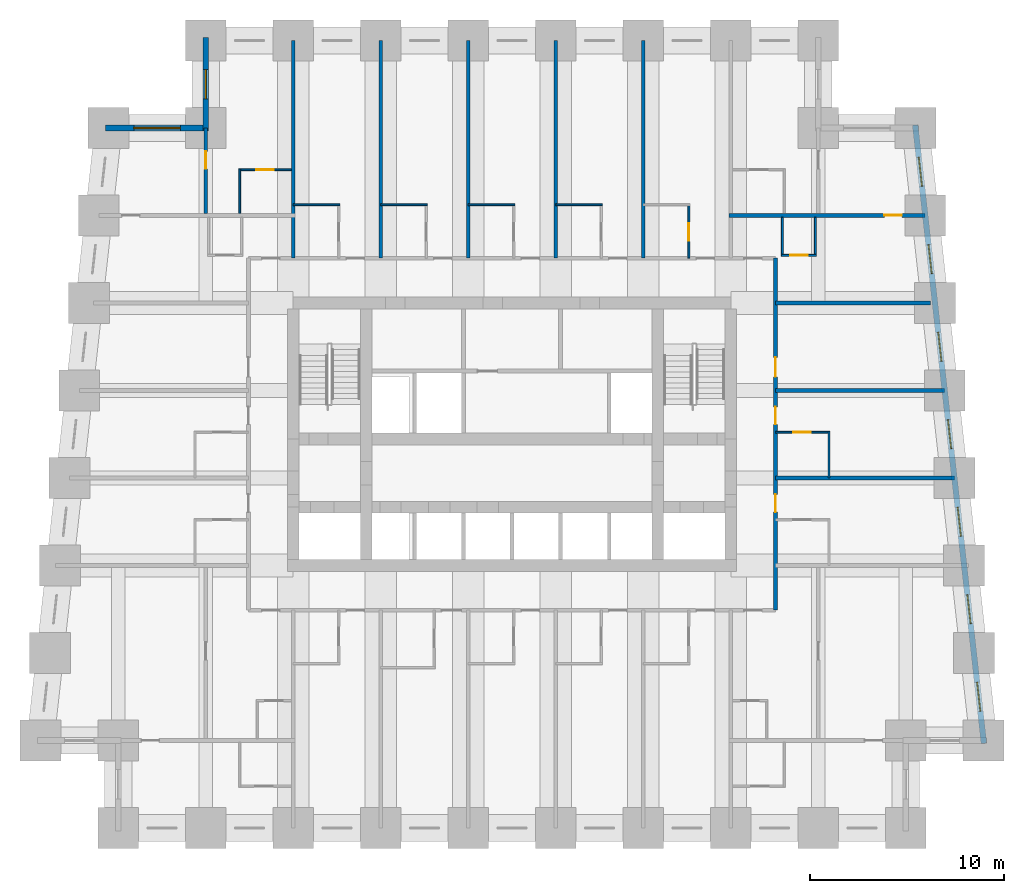
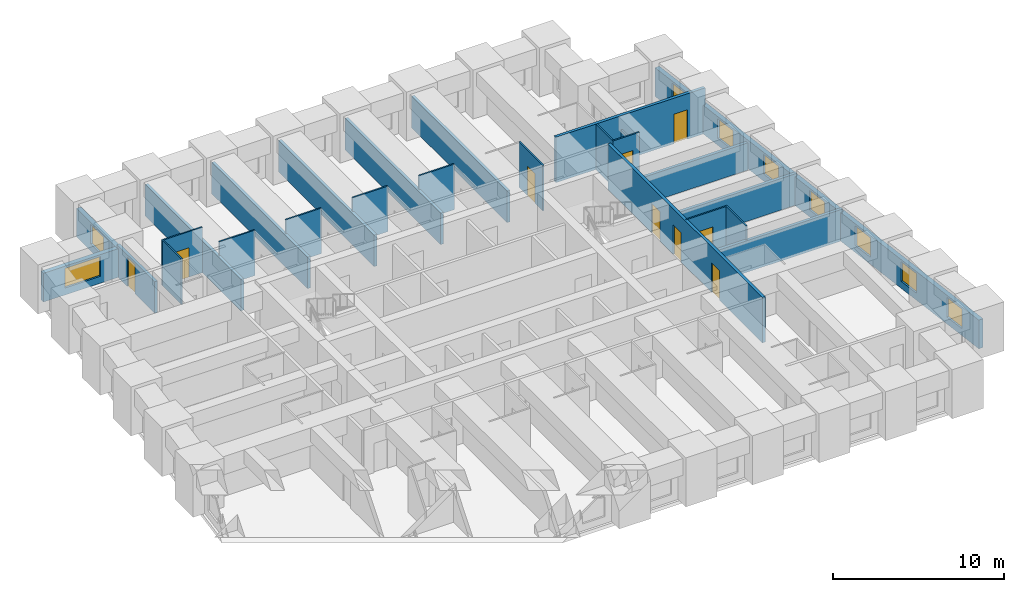
# One storey, part 6 of 8: 26 walls, 9 doors, 9 windows, 18 openings.
"""IFC4 building model written with IfcOpenShell, lengths in metres."""

from ifc_helpers import new_model, si_unit, direction, frame, frame_2d, origin, place, context, subcontext, project, spatial, rectangle, extrude, material, layer, layer_set, type_object, element, fill, save


model = new_model("IFC4")

# Units and contexts
model_context = context("Model", 3, precision=1e-05, world=origin(), true_north=direction((0.0, 1.0)))
body_context = subcontext(model_context, "Body", "Model", "MODEL_VIEW")
ifc_project = project(units=[si_unit("LENGTHUNIT", "METRE"), si_unit("AREAUNIT", "SQUARE_METRE"), si_unit("VOLUMEUNIT", "CUBIC_METRE"), si_unit("PLANEANGLEUNIT", "RADIAN"), si_unit("MASSUNIT", "GRAM", prefix="KILO")], contexts=[model_context])

# Site, building, storey
site_placement = place(None, origin())
site = spatial("IfcSite", under=ifc_project, at=site_placement, CompositionType="ELEMENT")
building_placement = place(site_placement, origin())
building = spatial("IfcBuilding", under=site, at=building_placement, Name="Kilele Tower Hotel", CompositionType="ELEMENT")
storey_placement = place(building_placement, frame((0.0, 0.0, 36.699951171875)))
storey = spatial("IfcBuildingStorey", under=building, at=storey_placement, Name="L07", CompositionType="ELEMENT", Elevation=36.699951171875)

# Wall
ifc_material_1 = material(Name="Moisture-resistant board")
ifc_layer_1 = layer(ifc_material_1, 0.10009765625)
ifc_layer_set_1 = layer_set([ifc_layer_1], Name="Moisture-resistant board")
wall_type_1 = type_object("IfcWallType", Name="Bathroom partition 100", PredefinedType="PLUMBINGWALL", material=ifc_layer_set_1)
wall_1_placement = place(storey_placement, frame((41.050048828125, 18.0, 0.0), z_axis=(0.0, 0.0, 1.0), x_axis=(0.0, 1.0, 0.0)))
element("IfcWall", 1, at=wall_1_placement, inside=storey, type_object=wall_type_1, Name="Bathroom partition 100 L07", PredefinedType="PLUMBINGWALL", context=body_context, shape_type="SweptSolid", body=[
    extrude(rectangle(XDim=2.39990234375, YDim=0.10009765625, at=frame_2d((1.199951171875, 0.0))), origin(), (0.0, 0.0, 1.0), 3.25),
])

# Wall, opening, door
wall_2_placement = place(storey_placement, frame((38.300048828125, 20.35009765625, 0.0), z_axis=(0.0, 0.0, 1.0), x_axis=(1.0, 0.0, 0.0)))
wall_2 = element("IfcWall", 2, at=wall_2_placement, inside=storey, type_object=wall_type_1, Name="Bathroom partition 100 L07", PredefinedType="PLUMBINGWALL", context=body_context, shape_type="SweptSolid", body=[
    extrude(rectangle(XDim=2.800048828125, YDim=0.10009765625, at=frame_2d((1.39990234375, 0.0))), origin(), (0.0, 0.0, 1.0), 3.25),
])
opening_1_placement = place(wall_2_placement, frame((0.89990234375, 0.0, 0.0)))
opening_1 = element("IfcOpeningElement", 3, at=opening_1_placement, cuts=wall_2, Name="Opening D2A", PredefinedType="OPENING", context=body_context, shape_type="SweptSolid", body=[
    extrude(rectangle(XDim=0.89990234375, YDim=2.10009765625, at=frame_2d((0.449951171875, 1.050048828125))), frame((0.0, 0.06005859375, 0.0), z_axis=(0.0, -1.0, 0.0), x_axis=(1.0, 0.0, 0.0)), (0.0, 0.0, 1.0), 0.1201171875),
])
ifc_material_2 = material(Name="Timber door leaf in hardwood frame", Category="wood")
door_type_1 = type_object("IfcDoorType", Name="Bathroom door 900", OperationType="SINGLE_SWING_LEFT", PredefinedType="DOOR", material=ifc_material_2)
door_1_placement = place(opening_1_placement, origin())
door_1 = element("IfcDoor", 4, at=door_1_placement, inside=storey, type_object=door_type_1, Name="Bathroom door 0707B", OperationType="SINGLE_SWING_LEFT", OverallHeight=2.10009765625, OverallWidth=0.89990234375, PredefinedType="DOOR", context=body_context, shape_type="SweptSolid", body=[
    extrude(rectangle(XDim=0.89990234375, YDim=2.10009765625, at=frame_2d((0.449951171875, 1.050048828125))), frame((0.0, 0.02490234375, 0.0), z_axis=(0.0, -1.0, 0.0), x_axis=(1.0, 0.0, 0.0)), (0.0, 0.0, 1.0), 0.050048828125),
])
fill(opening_1, door_1)

# Walls
for number, where, z_axis, x_axis, name in (
    (5, (13.5, 32.050048828125, 0.0), (0.0, 0.0, 1.0), (1.0, 0.0, 0.0), "Bathroom partition 100 L07"),
    (6, (18.0, 32.050048828125, 0.0), (0.0, 0.0, 1.0), (1.0, 0.0, 0.0), "Bathroom partition 100 L07"),
    (7, (22.5, 32.050048828125, 0.0), (0.0, 0.0, 1.0), (1.0, 0.0, 0.0), "Bathroom partition 100 L07"),
    (8, (27.0, 32.050048828125, 0.0), (0.0, 0.0, 1.0), (1.0, 0.0, 0.0), "Bathroom partition 100 L07"),
):
    element("IfcWall", number, at=place(storey_placement, frame(where, z_axis=z_axis, x_axis=x_axis)), inside=storey, type_object=wall_type_1, Name=name, PredefinedType="PLUMBINGWALL", context=body_context, shape_type="SweptSolid", body=[
        extrude(rectangle(XDim=2.39990234375, YDim=0.10009765625, at=frame_2d((1.199951171875, 0.0))), origin(), (0.0, 0.0, 1.0), 3.25),
    ])

# Wall, opening, door
wall_3_placement = place(storey_placement, frame((33.85009765625, 29.300048828125, 0.0), z_axis=(0.0, 0.0, 1.0), x_axis=(0.0, 1.0, 0.0)))
wall_3 = element("IfcWall", 9, at=wall_3_placement, inside=storey, type_object=wall_type_1, Name="Bathroom partition 100 L07", PredefinedType="PLUMBINGWALL", context=body_context, shape_type="SweptSolid", body=[
    extrude(rectangle(XDim=2.800048828125, YDim=0.10009765625, at=frame_2d((1.39990234375, 0.0))), origin(), (0.0, 0.0, 1.0), 3.25),
])
opening_2_placement = place(wall_3_placement, frame((1.7998046875, 0.0, 0.0), z_axis=(0.0, 0.0, 1.0), x_axis=(-1.0, 0.0, 0.0)))
opening_2 = element("IfcOpeningElement", 10, at=opening_2_placement, cuts=wall_3, Name="Opening D2A", PredefinedType="OPENING", context=body_context, shape_type="SweptSolid", body=[
    extrude(rectangle(XDim=0.89990234375, YDim=2.10009765625, at=frame_2d((0.449951171875, 1.050048828125))), frame((0.0, 0.06005859375, 0.0), z_axis=(0.0, -1.0, 0.0), x_axis=(1.0, 0.0, 0.0)), (0.0, 0.0, 1.0), 0.1201171875),
])
door_2_placement = place(opening_2_placement, origin())
door_2 = element("IfcDoor", 11, at=door_2_placement, inside=storey, type_object=door_type_1, Name="Bathroom door 0713B", OperationType="SINGLE_SWING_RIGHT", OverallHeight=2.10009765625, OverallWidth=0.89990234375, PredefinedType="DOOR", context=body_context, shape_type="SweptSolid", body=[
    extrude(rectangle(XDim=0.89990234375, YDim=2.10009765625, at=frame_2d((0.449951171875, 1.050048828125))), frame((0.0, 0.02490234375, 0.0), z_axis=(0.0, -1.0, 0.0), x_axis=(1.0, 0.0, 0.0)), (0.0, 0.0, 1.0), 0.050048828125),
])
fill(opening_2, door_2)

# Walls
wall_4_placement = place(storey_placement, frame((40.35009765625, 31.39990234375, 0.0), z_axis=(0.0, 0.0, 1.0), x_axis=(0.0, -1.0, 0.0)))
element("IfcWall", 12, at=wall_4_placement, inside=storey, type_object=wall_type_1, Name="Bathroom partition 100 L07", PredefinedType="PLUMBINGWALL", context=body_context, shape_type="SweptSolid", body=[
    extrude(rectangle(XDim=2.0, YDim=0.10009765625, at=frame_2d((1.0, 0.0))), origin(), (0.0, 0.0, 1.0), 2.25),
])
wall_5_placement = place(storey_placement, frame((38.64990234375, 31.39990234375, 0.0), z_axis=(0.0, 0.0, 1.0), x_axis=(0.0, -1.0, 0.0)))
element("IfcWall", 13, at=wall_5_placement, inside=storey, type_object=wall_type_1, Name="Bathroom partition 100 L07", PredefinedType="PLUMBINGWALL", context=body_context, shape_type="SweptSolid", body=[
    extrude(rectangle(XDim=2.0, YDim=0.10009765625, at=frame_2d((1.0, 0.0))), origin(), (0.0, 0.0, 1.0), 3.25),
])

# Wall, opening, door
wall_6_placement = place(storey_placement, frame((38.60009765625, 29.449951171875, 0.0), z_axis=(0.0, 0.0, 1.0), x_axis=(1.0, 0.0, 0.0)))
wall_6 = element("IfcWall", 14, at=wall_6_placement, inside=storey, type_object=wall_type_1, Name="Bathroom partition 100 L07", PredefinedType="PLUMBINGWALL", context=body_context, shape_type="SweptSolid", body=[
    extrude(rectangle(XDim=1.7998046875, YDim=0.10009765625, at=frame_2d((0.89990234375, 0.0))), origin(), (0.0, 0.0, 1.0), 3.25),
])
opening_3_placement = place(wall_6_placement, frame((1.349853515625, 0.0, 0.0), z_axis=(0.0, 0.0, 1.0), x_axis=(-1.0, 0.0, 0.0)))
opening_3 = element("IfcOpeningElement", 15, at=opening_3_placement, cuts=wall_6, Name="Opening D2A", PredefinedType="OPENING", context=body_context, shape_type="SweptSolid", body=[
    extrude(rectangle(XDim=0.89990234375, YDim=2.10009765625, at=frame_2d((0.449951171875, 1.050048828125))), frame((0.0, 0.06005859375, 0.0), z_axis=(0.0, -1.0, 0.0), x_axis=(1.0, 0.0, 0.0)), (0.0, 0.0, 1.0), 0.1201171875),
])
door_3_placement = place(opening_3_placement, origin())
door_3 = element("IfcDoor", 16, at=door_3_placement, inside=storey, type_object=door_type_1, Name="Bathroom door 0723P", OperationType="SINGLE_SWING_RIGHT", OverallHeight=2.10009765625, OverallWidth=0.89990234375, PredefinedType="DOOR", context=body_context, shape_type="SweptSolid", body=[
    extrude(rectangle(XDim=0.89990234375, YDim=2.10009765625, at=frame_2d((0.449951171875, 1.050048828125))), frame((0.0, 0.02490234375, 0.0), z_axis=(0.0, -1.0, 0.0), x_axis=(1.0, 0.0, 0.0)), (0.0, 0.0, 1.0), 0.050048828125),
])
fill(opening_3, door_3)

# Wall
wall_7_placement = place(storey_placement, frame((10.75, 31.60009765625, 0.0), z_axis=(0.0, 0.0, 1.0), x_axis=(0.0, 1.0, 0.0)))
element("IfcWall", 17, at=wall_7_placement, inside=storey, type_object=wall_type_1, Name="Bathroom partition 100 L07", PredefinedType="PLUMBINGWALL", context=body_context, shape_type="SweptSolid", body=[
    extrude(rectangle(XDim=2.2998046875, YDim=0.10009765625, at=frame_2d((1.14990234375, 0.0))), origin(), (0.0, 0.0, 1.0), 3.25),
])

# Wall, opening, door
wall_8_placement = place(storey_placement, frame((13.39990234375, 33.85009765625, 0.0), z_axis=(0.0, 0.0, 1.0), x_axis=(-1.0, 0.0, 0.0)))
wall_8 = element("IfcWall", 18, at=wall_8_placement, inside=storey, type_object=wall_type_1, Name="Bathroom partition 100 L07", PredefinedType="PLUMBINGWALL", context=body_context, shape_type="SweptSolid", body=[
    extrude(rectangle(XDim=2.699951171875, YDim=0.10009765625, at=frame_2d((1.35009765625, 0.0))), origin(), (0.0, 0.0, 1.0), 3.25),
])
opening_4_placement = place(wall_8_placement, frame((1.7998046875, 0.0, 0.0), z_axis=(0.0, 0.0, 1.0), x_axis=(-1.0, 0.0, 0.0)))
opening_4 = element("IfcOpeningElement", 19, at=opening_4_placement, cuts=wall_8, Name="Opening D2A", PredefinedType="OPENING", context=body_context, shape_type="SweptSolid", body=[
    extrude(rectangle(XDim=0.89990234375, YDim=2.10009765625, at=frame_2d((0.449951171875, 1.050048828125))), frame((0.0, 0.06005859375, 0.0), z_axis=(0.0, -1.0, 0.0), x_axis=(1.0, 0.0, 0.0)), (0.0, 0.0, 1.0), 0.1201171875),
])
door_4_placement = place(opening_4_placement, origin())
door_4 = element("IfcDoor", 20, at=door_4_placement, inside=storey, type_object=door_type_1, Name="Bathroom door 0727B", OperationType="SINGLE_SWING_RIGHT", OverallHeight=2.10009765625, OverallWidth=0.89990234375, PredefinedType="DOOR", context=body_context, shape_type="SweptSolid", body=[
    extrude(rectangle(XDim=0.89990234375, YDim=2.10009765625, at=frame_2d((0.449951171875, 1.050048828125))), frame((0.0, 0.02490234375, 0.0), z_axis=(0.0, -1.0, 0.0), x_axis=(1.0, 0.0, 0.0)), (0.0, 0.0, 1.0), 0.050048828125),
])
fill(opening_4, door_4)

# Wall, openings, doors
ifc_material_3 = material(Name="Blockwork, plastered both sides", Category="masonry")
ifc_layer_2 = layer(ifc_material_3, 0.199951171875)
ifc_layer_set_2 = layer_set([ifc_layer_2], Name="Blockwork, plastered both sides")
wall_type_2 = type_object("IfcWallType", Name="Corridor wall 200", PredefinedType="PARTITIONING", material=ifc_layer_set_2)
wall_9_placement = place(storey_placement, frame((38.300048828125, 11.199951171875, 0.0), z_axis=(0.0, 0.0, 1.0), x_axis=(0.0, 1.0, 0.0)))
wall_9 = element("IfcWall", 21, at=wall_9_placement, inside=storey, type_object=wall_type_2, Name="Corridor wall 200 L07", PredefinedType="PARTITIONING", context=body_context, shape_type="SweptSolid", body=[
    extrude(rectangle(XDim=18.10009765625, YDim=0.199951171875, at=frame_2d((9.050048828125, 0.0))), origin(), (0.0, 0.0, 1.0), 3.25),
])
opening_5_placement = place(wall_9_placement, frame((5.949951171875, 0.0, 0.0), z_axis=(0.0, 0.0, 1.0), x_axis=(-1.0, 0.0, 0.0)))
opening_5 = element("IfcOpeningElement", 22, at=opening_5_placement, cuts=wall_9, Name="Opening D1", PredefinedType="OPENING", context=body_context, shape_type="SweptSolid", body=[
    extrude(rectangle(XDim=0.89990234375, YDim=2.10009765625, at=frame_2d((0.449951171875, 1.050048828125))), frame((0.0, 0.10986328125, 0.0), z_axis=(0.0, -1.0, 0.0), x_axis=(1.0, 0.0, 0.0)), (0.0, 0.0, 1.0), 0.219970703125),
])
opening_6_placement = place(wall_9_placement, frame((10.449951171875, 0.0, 0.0), z_axis=(0.0, 0.0, 1.0), x_axis=(-1.0, 0.0, 0.0)))
opening_6 = element("IfcOpeningElement", 23, at=opening_6_placement, cuts=wall_9, Name="Opening D1", PredefinedType="OPENING", context=body_context, shape_type="SweptSolid", body=[
    extrude(rectangle(XDim=0.89990234375, YDim=2.10009765625, at=frame_2d((0.449951171875, 1.050048828125))), frame((0.0, 0.10986328125, 0.0), z_axis=(0.0, -1.0, 0.0), x_axis=(1.0, 0.0, 0.0)), (0.0, 0.0, 1.0), 0.219970703125),
])
opening_7_placement = place(wall_9_placement, frame((13.0, 0.0, 0.0), z_axis=(0.0, 0.0, 1.0), x_axis=(-1.0, 0.0, 0.0)))
opening_7 = element("IfcOpeningElement", 24, at=opening_7_placement, cuts=wall_9, Name="Opening D8", PredefinedType="OPENING", context=body_context, shape_type="SweptSolid", body=[
    extrude(rectangle(XDim=1.0, YDim=2.10009765625, at=frame_2d((0.5, 1.050048828125))), frame((0.0, 0.10986328125, 0.0), z_axis=(0.0, -1.0, 0.0), x_axis=(1.0, 0.0, 0.0)), (0.0, 0.0, 1.0), 0.219970703125),
])
ifc_material_4 = material(Name="Timber door leaf in hardwood frame", Category="wood")
door_type_2 = type_object("IfcDoorType", Name="Door 1000", OperationType="SINGLE_SWING_LEFT", PredefinedType="DOOR", material=ifc_material_4)
door_5_placement = place(opening_7_placement, origin())
door_5 = element("IfcDoor", 25, at=door_5_placement, inside=storey, type_object=door_type_2, Name="Room entrance 0708", OperationType="SINGLE_SWING_RIGHT", OverallHeight=2.10009765625, OverallWidth=1.0, PredefinedType="DOOR", context=body_context, shape_type="SweptSolid", body=[
    extrude(rectangle(XDim=1.0, YDim=2.10009765625, at=frame_2d((0.5, 1.050048828125))), frame((0.0, 0.02490234375, 0.0), z_axis=(0.0, -1.0, 0.0), x_axis=(1.0, 0.0, 0.0)), (0.0, 0.0, 1.0), 0.050048828125),
])
fill(opening_7, door_5)
ifc_material_5 = material(Name="Timber door leaf in hardwood frame", Category="wood")
door_type_3 = type_object("IfcDoorType", Name="Guest room entrance door 900", OperationType="SINGLE_SWING_LEFT", PredefinedType="DOOR", material=ifc_material_5)
door_6_placement = place(opening_5_placement, origin())
door_6 = element("IfcDoor", 26, at=door_6_placement, inside=storey, type_object=door_type_3, Name="Room entrance 0706", OperationType="SINGLE_SWING_RIGHT", OverallHeight=2.10009765625, OverallWidth=0.89990234375, PredefinedType="DOOR", context=body_context, shape_type="SweptSolid", body=[
    extrude(rectangle(XDim=0.89990234375, YDim=2.10009765625, at=frame_2d((0.449951171875, 1.050048828125))), frame((0.0, 0.02490234375, 0.0), z_axis=(0.0, -1.0, 0.0), x_axis=(1.0, 0.0, 0.0)), (0.0, 0.0, 1.0), 0.050048828125),
])
fill(opening_5, door_6)
door_7_placement = place(opening_6_placement, origin())
door_7 = element("IfcDoor", 27, at=door_7_placement, inside=storey, type_object=door_type_3, Name="Room entrance 0707", OperationType="SINGLE_SWING_RIGHT", OverallHeight=2.10009765625, OverallWidth=0.89990234375, PredefinedType="DOOR", context=body_context, shape_type="SweptSolid", body=[
    extrude(rectangle(XDim=0.89990234375, YDim=2.10009765625, at=frame_2d((0.449951171875, 1.050048828125))), frame((0.0, 0.02490234375, 0.0), z_axis=(0.0, -1.0, 0.0), x_axis=(1.0, 0.0, 0.0)), (0.0, 0.0, 1.0), 0.050048828125),
])
fill(opening_6, door_7)

# Wall, opening, door
ifc_material_6 = material(Name="Blockwork, plastered both sides", Category="masonry")
ifc_layer_3 = layer(ifc_material_6, 0.199951171875)
ifc_layer_set_3 = layer_set([ifc_layer_3], Name="Blockwork, plastered both sides")
wall_type_3 = type_object("IfcWallType", Name="Partition wall 200", PredefinedType="PARTITIONING", material=ifc_layer_set_3)
wall_10_placement = place(storey_placement, frame((9.0, 31.60009765625, 0.0), z_axis=(0.0, 0.0, 1.0), x_axis=(0.0, 1.0, 0.0)))
wall_10 = element("IfcWall", 28, at=wall_10_placement, inside=storey, type_object=wall_type_3, Name="Partition wall 200 L07", PredefinedType="PARTITIONING", context=body_context, shape_type="SweptSolid", body=[
    extrude(rectangle(XDim=4.39990234375, YDim=0.199951171875, at=frame_2d((2.199951171875, 0.0))), origin(), (0.0, 0.0, 1.0), 2.25),
])
opening_8_placement = place(wall_10_placement, frame((2.300048828125, 0.0, 0.0)))
opening_8 = element("IfcOpeningElement", 29, at=opening_8_placement, cuts=wall_10, Name="Opening D3", PredefinedType="OPENING", context=body_context, shape_type="SweptSolid", body=[
    extrude(rectangle(XDim=0.89990234375, YDim=2.10009765625, at=frame_2d((0.449951171875, 1.050048828125))), frame((0.0, 0.10986328125, 0.0), z_axis=(0.0, -1.0, 0.0), x_axis=(1.0, 0.0, 0.0)), (0.0, 0.0, 1.0), 0.219970703125),
])
ifc_material_7 = material(Name="Timber door leaf in hardwood frame", Category="wood")
door_type_4 = type_object("IfcDoorType", Name="Suite internal door 900", OperationType="SINGLE_SWING_LEFT", PredefinedType="DOOR", material=ifc_material_7)
door_8_placement = place(opening_8_placement, origin())
door_8 = element("IfcDoor", 30, at=door_8_placement, inside=storey, type_object=door_type_4, Name="Suite door 0728", OperationType="SINGLE_SWING_RIGHT", OverallHeight=2.10009765625, OverallWidth=0.89990234375, PredefinedType="DOOR", context=body_context, shape_type="SweptSolid", body=[
    extrude(rectangle(XDim=0.89990234375, YDim=2.10009765625, at=frame_2d((0.449951171875, 1.050048828125))), frame((0.0, 0.02490234375, 0.0), z_axis=(0.0, -1.0, 0.0), x_axis=(1.0, 0.0, 0.0)), (0.0, 0.0, 1.0), 0.050048828125),
])
fill(opening_8, door_8)

# Walls
ifc_material_8 = material(Name="Blockwork, plastered both sides", Category="masonry")
ifc_layer_4 = layer(ifc_material_8, 0.199951171875)
ifc_layer_set_4 = layer_set([ifc_layer_4], Name="Blockwork, plastered both sides")
wall_type_4 = type_object("IfcWallType", Name="Party wall 200", PredefinedType="PARTITIONING", material=ifc_layer_set_4)
wall_11_placement = place(storey_placement, frame((38.300048828125, 18.0, 0.0), z_axis=(0.0, 0.0, 1.0), x_axis=(1.0, 0.0, 0.0)))
element("IfcWall", 31, at=wall_11_placement, inside=storey, type_object=wall_type_4, Name="Party wall 200 L07", PredefinedType="PARTITIONING", context=body_context, shape_type="SweptSolid", body=[
    extrude(rectangle(XDim=9.198974609375, YDim=0.199951171875, at=frame_2d((4.599609375, 0.0))), origin(), (0.0, 0.0, 1.0), 2.25),
])
wall_12_placement = place(storey_placement, frame((38.300048828125, 22.5, 0.0), z_axis=(0.0, 0.0, 1.0), x_axis=(1.0, 0.0, 0.0)))
element("IfcWall", 32, at=wall_12_placement, inside=storey, type_object=wall_type_4, Name="Party wall 200 L07", PredefinedType="PARTITIONING", context=body_context, shape_type="SweptSolid", body=[
    extrude(rectangle(XDim=8.698974609375, YDim=0.199951171875, at=frame_2d((4.349609375, 0.0))), origin(), (0.0, 0.0, 1.0), 2.25),
])
for number, where, z_axis, x_axis, name in (
    (33, (18.0, 29.300048828125, 0.0), (0.0, 0.0, 1.0), (0.0, 1.0, 0.0), "Party wall 200 L07"),
    (34, (22.5, 29.300048828125, 0.0), (0.0, 0.0, 1.0), (0.0, 1.0, 0.0), "Party wall 200 L07"),
    (35, (27.0, 29.300048828125, 0.0), (0.0, 0.0, 1.0), (0.0, 1.0, 0.0), "Party wall 200 L07"),
    (36, (31.5, 29.300048828125, 0.0), (0.0, 0.0, 1.0), (0.0, 1.0, 0.0), "Party wall 200 L07"),
):
    element("IfcWall", number, at=place(storey_placement, frame(where, z_axis=z_axis, x_axis=x_axis)), inside=storey, type_object=wall_type_4, Name=name, PredefinedType="PARTITIONING", context=body_context, shape_type="SweptSolid", body=[
        extrude(rectangle(XDim=11.199951171875, YDim=0.199951171875, at=frame_2d((5.60009765625, 0.0))), origin(), (0.0, 0.0, 1.0), 2.25),
    ])
wall_13_placement = place(storey_placement, frame((38.300048828125, 27.0, 0.0), z_axis=(0.0, 0.0, 1.0), x_axis=(1.0, 0.0, 0.0)))
element("IfcWall", 37, at=wall_13_placement, inside=storey, type_object=wall_type_4, Name="Party wall 200 L07", PredefinedType="PARTITIONING", context=body_context, shape_type="SweptSolid", body=[
    extrude(rectangle(XDim=7.976806640625, YDim=0.199951171875, at=frame_2d((3.98828125, 0.0))), origin(), (0.0, 0.0, 1.0), 1.949951171875),
])

# Wall, opening, door
wall_14_placement = place(storey_placement, frame((35.89990234375, 31.5, 0.0), z_axis=(0.0, 0.0, 1.0), x_axis=(1.0, 0.0, 0.0)))
wall_14 = element("IfcWall", 38, at=wall_14_placement, inside=storey, type_object=wall_type_4, Name="Party wall 200 L07", PredefinedType="PARTITIONING", context=body_context, shape_type="SweptSolid", body=[
    extrude(rectangle(XDim=10.09912109375, YDim=0.199951171875, at=frame_2d((5.049560546875, 0.0))), origin(), (0.0, 0.0, 1.0), 3.25),
])
opening_9_placement = place(wall_14_placement, frame((7.9990234375, 0.0, 0.0)))
opening_9 = element("IfcOpeningElement", 39, at=opening_9_placement, cuts=wall_14, Name="Opening D3", PredefinedType="OPENING", context=body_context, shape_type="SweptSolid", body=[
    extrude(rectangle(XDim=0.89990234375, YDim=2.10009765625, at=frame_2d((0.449951171875, 1.050048828125))), frame((0.0, 0.10986328125, 0.0), z_axis=(0.0, -1.0, 0.0), x_axis=(1.0, 0.0, 0.0)), (0.0, 0.0, 1.0), 0.219970703125),
])
door_9_placement = place(opening_9_placement, origin())
door_9 = element("IfcDoor", 40, at=door_9_placement, inside=storey, type_object=door_type_4, Name="Suite door 0724", OperationType="SINGLE_SWING_RIGHT", OverallHeight=2.10009765625, OverallWidth=0.89990234375, PredefinedType="DOOR", context=body_context, shape_type="SweptSolid", body=[
    extrude(rectangle(XDim=0.89990234375, YDim=2.10009765625, at=frame_2d((0.449951171875, 1.050048828125))), frame((0.0, 0.02490234375, 0.0), z_axis=(0.0, -1.0, 0.0), x_axis=(1.0, 0.0, 0.0)), (0.0, 0.0, 1.0), 0.050048828125),
])
fill(opening_9, door_9)

# Wall
wall_15_placement = place(storey_placement, frame((13.5, 29.300048828125, 0.0), z_axis=(0.0, 0.0, 1.0), x_axis=(0.0, 1.0, 0.0)))
element("IfcWall", 41, at=wall_15_placement, inside=storey, type_object=wall_type_4, Name="Party wall 200 L07", PredefinedType="PARTITIONING", context=body_context, shape_type="SweptSolid", body=[
    extrude(rectangle(XDim=11.199951171875, YDim=0.199951171875, at=frame_2d((5.60009765625, 0.0))), origin(), (0.0, 0.0, 1.0), 2.25),
])

# Wall, openings, windows
ifc_material_9 = material(Name="Concrete C40/50 precast", Category="concrete")
ifc_layer_5 = layer(ifc_material_9, 0.260009765625, Name="Precast backing", Category="LoadBearing")
ifc_material_10 = material(Name="Reconstituted stone finish", Category="masonry")
ifc_layer_6 = layer(ifc_material_10, 0.0400390625, Name="Face mix", Category="Finish")
ifc_layer_set_5 = layer_set([ifc_layer_5, ifc_layer_6], Name="Precast concrete C40/50, reconstituted stone finish")
wall_type_5 = type_object("IfcWallType", Name="Precast stone facade wall 300", PredefinedType="STANDARD", material=ifc_layer_set_5)
wall_16_placement = place(storey_placement, frame((49.0166015625, 4.350830078125, 0.0), z_axis=(0.0, 0.0, 1.0), x_axis=(-0.110433201132, 0.993883548555, 0.0)))
wall_16 = element("IfcWall", 42, at=wall_16_placement, inside=storey, type_object=wall_type_5, Name="Facade wall L07 edge 6", PredefinedType="STANDARD", context=body_context, shape_type="SweptSolid", body=[
    extrude(rectangle(XDim=31.994140625, YDim=0.300048828125, at=frame_2d((15.9970703125, 0.0))), origin(), (0.0, 0.0, 1.0), 2.050048828125),
])
opening_10_placement = place(wall_16_placement, frame((1.6640625, 0.0, 0.5)))
opening_10 = element("IfcOpeningElement", 43, at=opening_10_placement, cuts=wall_16, Name="Opening W1", PredefinedType="OPENING", context=body_context, shape_type="SweptSolid", body=[
    extrude(rectangle(XDim=1.5, YDim=1.39990234375, at=frame_2d((0.75, 0.699951171875))), frame((0.0, 0.159912109375, 0.0), z_axis=(0.0, -1.0, 0.0), x_axis=(1.0, 0.0, 0.0)), (0.0, 0.0, 1.0), 0.320068359375),
])
opening_11_placement = place(wall_16_placement, frame((6.19189453125, 0.0, 0.5)))
opening_11 = element("IfcOpeningElement", 44, at=opening_11_placement, cuts=wall_16, Name="Opening W1", PredefinedType="OPENING", context=body_context, shape_type="SweptSolid", body=[
    extrude(rectangle(XDim=1.5, YDim=1.39990234375, at=frame_2d((0.75, 0.699951171875))), frame((0.0, 0.159912109375, 0.0), z_axis=(0.0, -1.0, 0.0), x_axis=(1.0, 0.0, 0.0)), (0.0, 0.0, 1.0), 0.320068359375),
])
opening_12_placement = place(wall_16_placement, frame((10.718994140625, 0.0, 0.5)))
opening_12 = element("IfcOpeningElement", 45, at=opening_12_placement, cuts=wall_16, Name="Opening W1", PredefinedType="OPENING", context=body_context, shape_type="SweptSolid", body=[
    extrude(rectangle(XDim=1.5, YDim=1.39990234375, at=frame_2d((0.75, 0.699951171875))), frame((0.0, 0.159912109375, 0.0), z_axis=(0.0, -1.0, 0.0), x_axis=(1.0, 0.0, 0.0)), (0.0, 0.0, 1.0), 0.320068359375),
])
opening_13_placement = place(wall_16_placement, frame((15.2470703125, 0.0, 0.5)))
opening_13 = element("IfcOpeningElement", 46, at=opening_13_placement, cuts=wall_16, Name="Opening W1", PredefinedType="OPENING", context=body_context, shape_type="SweptSolid", body=[
    extrude(rectangle(XDim=1.5, YDim=1.39990234375, at=frame_2d((0.75, 0.699951171875))), frame((0.0, 0.159912109375, 0.0), z_axis=(0.0, -1.0, 0.0), x_axis=(1.0, 0.0, 0.0)), (0.0, 0.0, 1.0), 0.320068359375),
])
opening_14_placement = place(wall_16_placement, frame((19.77490234375, 0.0, 0.5)))
opening_14 = element("IfcOpeningElement", 47, at=opening_14_placement, cuts=wall_16, Name="Opening W1", PredefinedType="OPENING", context=body_context, shape_type="SweptSolid", body=[
    extrude(rectangle(XDim=1.5, YDim=1.39990234375, at=frame_2d((0.75, 0.699951171875))), frame((0.0, 0.159912109375, 0.0), z_axis=(0.0, -1.0, 0.0), x_axis=(1.0, 0.0, 0.0)), (0.0, 0.0, 1.0), 0.320068359375),
])
opening_15_placement = place(wall_16_placement, frame((24.302001953125, 0.0, 0.5)))
opening_15 = element("IfcOpeningElement", 48, at=opening_15_placement, cuts=wall_16, Name="Opening W1", PredefinedType="OPENING", context=body_context, shape_type="SweptSolid", body=[
    extrude(rectangle(XDim=1.5, YDim=1.39990234375, at=frame_2d((0.75, 0.699951171875))), frame((0.0, 0.159912109375, 0.0), z_axis=(0.0, -1.0, 0.0), x_axis=(1.0, 0.0, 0.0)), (0.0, 0.0, 1.0), 0.320068359375),
])
opening_16_placement = place(wall_16_placement, frame((28.830078125, 0.0, 0.5)))
opening_16 = element("IfcOpeningElement", 49, at=opening_16_placement, cuts=wall_16, Name="Opening W1", PredefinedType="OPENING", context=body_context, shape_type="SweptSolid", body=[
    extrude(rectangle(XDim=1.5, YDim=1.39990234375, at=frame_2d((0.75, 0.699951171875))), frame((0.0, 0.159912109375, 0.0), z_axis=(0.0, -1.0, 0.0), x_axis=(1.0, 0.0, 0.0)), (0.0, 0.0, 1.0), 0.320068359375),
])
ifc_material_11 = material(Name="Aluminium frame, clear double glazing", Category="aluminium")
window_type_1 = type_object("IfcWindowType", Name="Window W1 1500 x 1400", PartitioningType="SINGLE_PANEL", PredefinedType="WINDOW", material=ifc_material_11)
window_1_placement = place(opening_10_placement, origin())
window_1 = element("IfcWindow", 50, at=window_1_placement, inside=storey, type_object=window_type_1, Name="Window L07", OverallHeight=1.39990234375, OverallWidth=1.5, PartitioningType="SINGLE_PANEL", PredefinedType="WINDOW", context=body_context, shape_type="SweptSolid", body=[
    extrude(rectangle(XDim=1.5, YDim=1.39990234375, at=frame_2d((0.75, 0.699951171875))), frame((0.0, 0.030029296875, 0.0), z_axis=(0.0, -1.0, 0.0), x_axis=(1.0, 0.0, 0.0)), (0.0, 0.0, 1.0), 0.06005859375),
])
fill(opening_10, window_1)
window_2_placement = place(opening_11_placement, origin())
window_2 = element("IfcWindow", 51, at=window_2_placement, inside=storey, type_object=window_type_1, Name="Window L07", OverallHeight=1.39990234375, OverallWidth=1.5, PartitioningType="SINGLE_PANEL", PredefinedType="WINDOW", context=body_context, shape_type="SweptSolid", body=[
    extrude(rectangle(XDim=1.5, YDim=1.39990234375, at=frame_2d((0.75, 0.699951171875))), frame((0.0, 0.030029296875, 0.0), z_axis=(0.0, -1.0, 0.0), x_axis=(1.0, 0.0, 0.0)), (0.0, 0.0, 1.0), 0.06005859375),
])
fill(opening_11, window_2)
window_3_placement = place(opening_12_placement, origin())
window_3 = element("IfcWindow", 52, at=window_3_placement, inside=storey, type_object=window_type_1, Name="Window L07", OverallHeight=1.39990234375, OverallWidth=1.5, PartitioningType="SINGLE_PANEL", PredefinedType="WINDOW", context=body_context, shape_type="SweptSolid", body=[
    extrude(rectangle(XDim=1.5, YDim=1.39990234375, at=frame_2d((0.75, 0.699951171875))), frame((0.0, 0.030029296875, 0.0), z_axis=(0.0, -1.0, 0.0), x_axis=(1.0, 0.0, 0.0)), (0.0, 0.0, 1.0), 0.06005859375),
])
fill(opening_12, window_3)
window_4_placement = place(opening_13_placement, origin())
window_4 = element("IfcWindow", 53, at=window_4_placement, inside=storey, type_object=window_type_1, Name="Window L07", OverallHeight=1.39990234375, OverallWidth=1.5, PartitioningType="SINGLE_PANEL", PredefinedType="WINDOW", context=body_context, shape_type="SweptSolid", body=[
    extrude(rectangle(XDim=1.5, YDim=1.39990234375, at=frame_2d((0.75, 0.699951171875))), frame((0.0, 0.030029296875, 0.0), z_axis=(0.0, -1.0, 0.0), x_axis=(1.0, 0.0, 0.0)), (0.0, 0.0, 1.0), 0.06005859375),
])
fill(opening_13, window_4)
window_5_placement = place(opening_14_placement, origin())
window_5 = element("IfcWindow", 54, at=window_5_placement, inside=storey, type_object=window_type_1, Name="Window L07", OverallHeight=1.39990234375, OverallWidth=1.5, PartitioningType="SINGLE_PANEL", PredefinedType="WINDOW", context=body_context, shape_type="SweptSolid", body=[
    extrude(rectangle(XDim=1.5, YDim=1.39990234375, at=frame_2d((0.75, 0.699951171875))), frame((0.0, 0.030029296875, 0.0), z_axis=(0.0, -1.0, 0.0), x_axis=(1.0, 0.0, 0.0)), (0.0, 0.0, 1.0), 0.06005859375),
])
fill(opening_14, window_5)
window_6_placement = place(opening_15_placement, origin())
window_6 = element("IfcWindow", 55, at=window_6_placement, inside=storey, type_object=window_type_1, Name="Window L07", OverallHeight=1.39990234375, OverallWidth=1.5, PartitioningType="SINGLE_PANEL", PredefinedType="WINDOW", context=body_context, shape_type="SweptSolid", body=[
    extrude(rectangle(XDim=1.5, YDim=1.39990234375, at=frame_2d((0.75, 0.699951171875))), frame((0.0, 0.030029296875, 0.0), z_axis=(0.0, -1.0, 0.0), x_axis=(1.0, 0.0, 0.0)), (0.0, 0.0, 1.0), 0.06005859375),
])
fill(opening_15, window_6)
window_7_placement = place(opening_16_placement, origin())
window_7 = element("IfcWindow", 56, at=window_7_placement, inside=storey, type_object=window_type_1, Name="Window L07", OverallHeight=1.39990234375, OverallWidth=1.5, PartitioningType="SINGLE_PANEL", PredefinedType="WINDOW", context=body_context, shape_type="SweptSolid", body=[
    extrude(rectangle(XDim=1.5, YDim=1.39990234375, at=frame_2d((0.75, 0.699951171875))), frame((0.0, 0.030029296875, 0.0), z_axis=(0.0, -1.0, 0.0), x_axis=(1.0, 0.0, 0.0)), (0.0, 0.0, 1.0), 0.06005859375),
])
fill(opening_16, window_7)

# Wall, opening, window
wall_17_placement = place(storey_placement, frame((9.0, 40.64990234375, 0.0), z_axis=(0.0, 0.0, 1.0), x_axis=(0.0, -1.0, 0.0)))
wall_17 = element("IfcWall", 57, at=wall_17_placement, inside=storey, type_object=wall_type_5, Name="Facade wall L07 edge 10", PredefinedType="STANDARD", context=body_context, shape_type="SweptSolid", body=[
    extrude(rectangle(XDim=4.7998046875, YDim=0.300048828125, at=frame_2d((2.39990234375, 0.0))), origin(), (0.0, 0.0, 1.0), 2.050048828125),
])
opening_17_placement = place(wall_17_placement, frame((1.64990234375, 0.0, 0.5)))
opening_17 = element("IfcOpeningElement", 58, at=opening_17_placement, cuts=wall_17, Name="Opening W1", PredefinedType="OPENING", context=body_context, shape_type="SweptSolid", body=[
    extrude(rectangle(XDim=1.5, YDim=1.39990234375, at=frame_2d((0.75, 0.699951171875))), frame((0.0, 0.159912109375, 0.0), z_axis=(0.0, -1.0, 0.0), x_axis=(1.0, 0.0, 0.0)), (0.0, 0.0, 1.0), 0.320068359375),
])
window_8_placement = place(opening_17_placement, origin())
window_8 = element("IfcWindow", 59, at=window_8_placement, inside=storey, type_object=window_type_1, Name="Window L07", OverallHeight=1.39990234375, OverallWidth=1.5, PartitioningType="SINGLE_PANEL", PredefinedType="WINDOW", context=body_context, shape_type="SweptSolid", body=[
    extrude(rectangle(XDim=1.5, YDim=1.39990234375, at=frame_2d((0.75, 0.699951171875))), frame((0.0, 0.030029296875, 0.0), z_axis=(0.0, -1.0, 0.0), x_axis=(1.0, 0.0, 0.0)), (0.0, 0.0, 1.0), 0.06005859375),
])
fill(opening_17, window_8)

wall_18_placement = place(storey_placement, frame((9.14990234375, 36.0, 0.0), z_axis=(0.0, 0.0, 1.0), x_axis=(-1.0, 0.0, 0.0)))
wall_18 = element("IfcWall", 60, at=wall_18_placement, inside=storey, type_object=wall_type_5, Name="Facade wall L07 edge 11", PredefinedType="STANDARD", context=body_context, shape_type="SweptSolid", body=[
    extrude(rectangle(XDim=5.2998046875, YDim=0.300048828125, at=frame_2d((2.64990234375, 0.0))), origin(), (0.0, 0.0, 1.0), 2.050048828125),
])
opening_18_placement = place(wall_18_placement, frame((1.449951171875, 0.0, 0.5)))
opening_18 = element("IfcOpeningElement", 61, at=opening_18_placement, cuts=wall_18, Name="Opening W1", PredefinedType="OPENING", context=body_context, shape_type="SweptSolid", body=[
    extrude(rectangle(XDim=2.39990234375, YDim=1.39990234375, at=frame_2d((1.199951171875, 0.699951171875))), frame((0.0, 0.159912109375, 0.0), z_axis=(0.0, -1.0, 0.0), x_axis=(1.0, 0.0, 0.0)), (0.0, 0.0, 1.0), 0.320068359375),
])
ifc_material_12 = material(Name="Aluminium frame, clear double glazing", Category="aluminium")
window_type_2 = type_object("IfcWindowType", Name="Window W1 2400 x 1400", PartitioningType="SINGLE_PANEL", PredefinedType="WINDOW", material=ifc_material_12)
window_9_placement = place(opening_18_placement, origin())
window_9 = element("IfcWindow", 62, at=window_9_placement, inside=storey, type_object=window_type_2, Name="Window L07", OverallHeight=1.39990234375, OverallWidth=2.39990234375, PartitioningType="SINGLE_PANEL", PredefinedType="WINDOW", context=body_context, shape_type="SweptSolid", body=[
    extrude(rectangle(XDim=2.39990234375, YDim=1.39990234375, at=frame_2d((1.199951171875, 0.699951171875))), frame((0.0, 0.030029296875, 0.0), z_axis=(0.0, -1.0, 0.0), x_axis=(1.0, 0.0, 0.0)), (0.0, 0.0, 1.0), 0.06005859375),
])
fill(opening_18, window_9)

save(model, "model.ifc")
